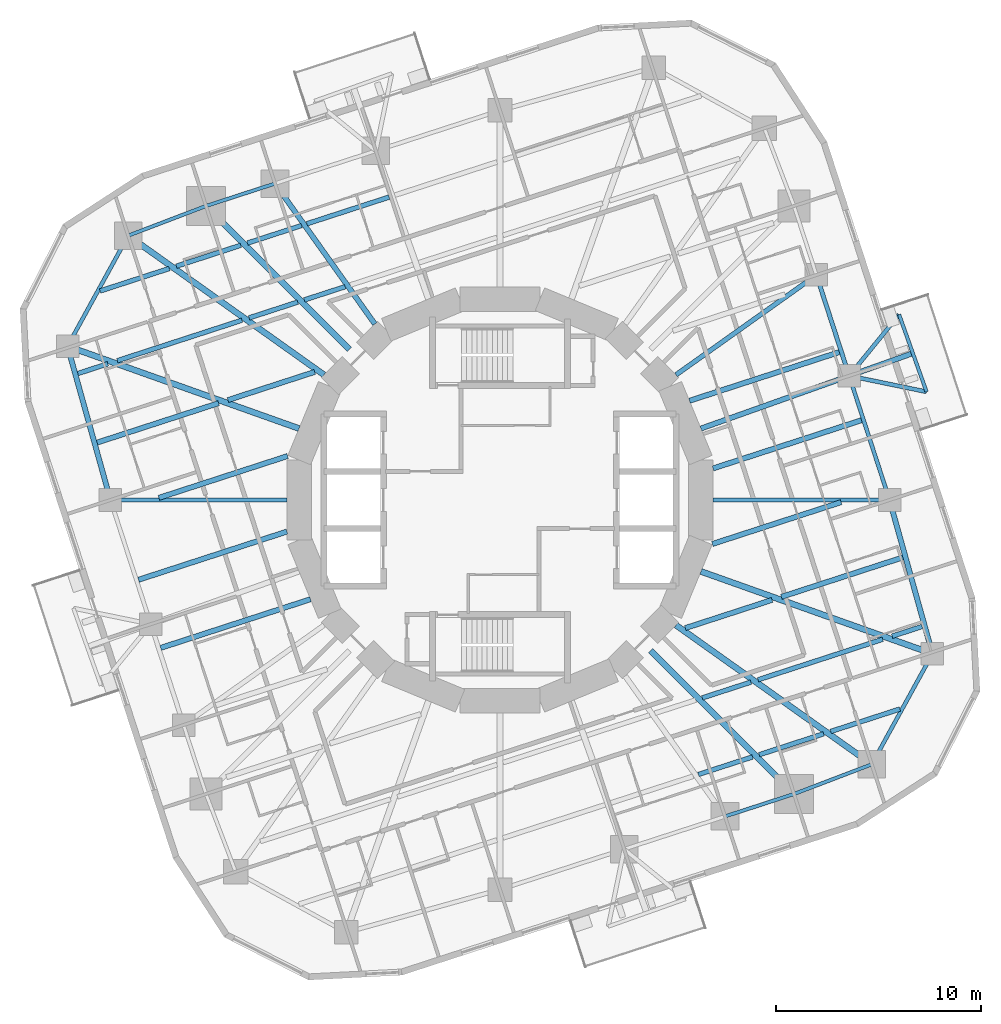
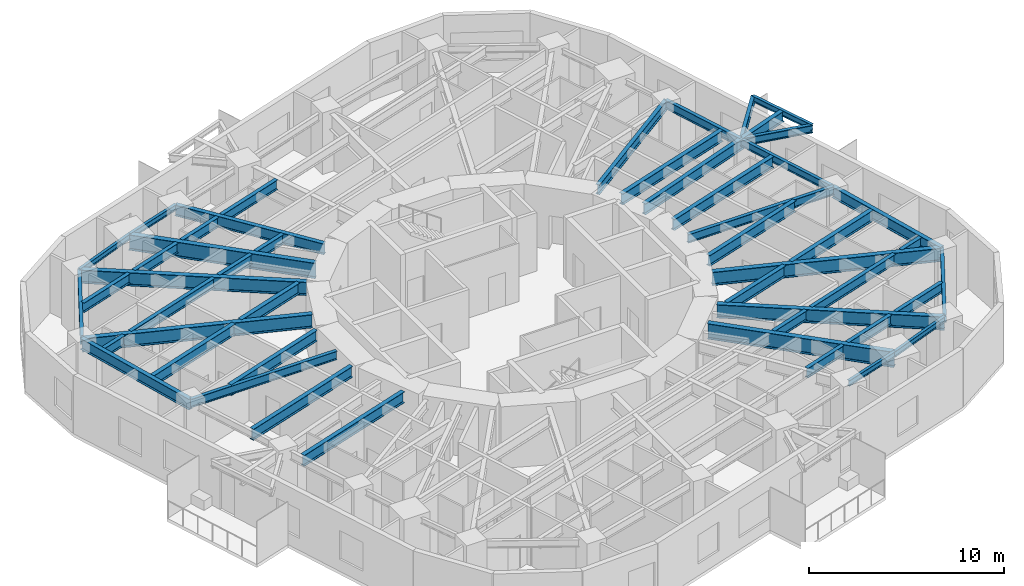
# One storey, part 2 of 12: 48 beams.
"""IFC4 building model written with IfcOpenShell, lengths in metres."""

from ifc_helpers import new_model, si_unit, direction, frame, origin, origin_2d, place, context, subcontext, project, spatial, i_section, extrude, material, material_profile, profile_set, type_object, element, save


model = new_model("IFC4")

# Units and contexts
model_context = context("Model", 3, precision=1e-05, world=origin(), true_north=direction((0.0, 1.0)))
body_context = subcontext(model_context, "Body", "Model", "MODEL_VIEW")
ifc_project = project(units=[si_unit("LENGTHUNIT", "METRE"), si_unit("AREAUNIT", "SQUARE_METRE"), si_unit("VOLUMEUNIT", "CUBIC_METRE"), si_unit("PLANEANGLEUNIT", "RADIAN"), si_unit("MASSUNIT", "GRAM", prefix="KILO")], contexts=[model_context])

# Site, building, storey
site_placement = place(None, origin())
site = spatial("IfcSite", under=ifc_project, at=site_placement, CompositionType="ELEMENT")
building_placement = place(site_placement, origin())
building = spatial("IfcBuilding", under=site, at=building_placement, Name="Nakasero Lantern House", CompositionType="ELEMENT")
storey_placement = place(building_placement, frame((0.0, 0.0, 145.64990234375)))
storey = spatial("IfcBuildingStorey", under=building, at=storey_placement, Name="L35", CompositionType="ELEMENT", Elevation=145.64990234375)

# Beams
ifc_material_1 = material(Name="Steel S355", Category="steel")
ifc_material_profile_1 = material_profile(ifc_material_1, i_section(OverallWidth=0.199462890625, OverallDepth=0.491943359375, WebThickness=0.01806640625, FlangeThickness=0.031982421875, FilletRadius=0.01025390625, at=origin_2d()), Name="UB 457x191x161")
ifc_profile_set_1 = profile_set([ifc_material_profile_1], Name="Steel S355")
beam_type_1 = type_object("IfcBeamType", Name="Balcony splay beam UB 457x191x161", PredefinedType="BEAM", material=ifc_profile_set_1)
for number, where, z_axis, x_axis, name in (
    (1, (17.060546875, 6.06591796875, 3.404052734375), (0.632127727159, 0.774864205236, 0.0), (-0.774864205236, 0.632127727159, 0.0), "Balcony splay beam L36 B4-C04A"),
    (2, (17.060546875, 6.06591796875, 3.404052734375), (0.979420272605, -0.201831438605, 0.0), (0.201831438605, 0.979420272605, 0.0), "Balcony splay beam L36 B4-C04B"),
):
    element("IfcBeam", number, at=place(storey_placement, frame(where, z_axis=z_axis, x_axis=x_axis)), inside=storey, type_object=beam_type_1, Name=name, PredefinedType="BEAM", context=body_context, shape_type="SweptSolid", body=[
        extrude(i_section(OverallWidth=0.199462890625, OverallDepth=0.491943359375, WebThickness=0.01806640625, FlangeThickness=0.031982421875, FilletRadius=0.01025390625, at=origin_2d()), origin(), (0.0, 0.0, 1.0), 3.858642578125),
    ])
ifc_material_2 = material(Name="Steel S355", Category="steel")
ifc_material_profile_2 = material_profile(ifc_material_2, i_section(OverallWidth=0.17138671875, OverallDepth=0.35498046875, WebThickness=0.00732421875, FlangeThickness=0.011474609375, FilletRadius=0.01025390625, at=origin_2d()), Name="UB 356x171x51")
ifc_profile_set_2 = profile_set([ifc_material_profile_2], Name="Steel S355")
beam_type_2 = type_object("IfcBeamType", Name="Balcony tie beam UB 356x171x51", PredefinedType="BEAM", material=ifc_profile_set_2)
beam_1_placement = place(storey_placement, frame((19.499755859375, 9.055908203125, 3.47265625), z_axis=(0.335025321236, -0.942209124415, 0.0), x_axis=(0.942209124415, 0.335025321236, 0.0)))
element("IfcBeam", 3, at=beam_1_placement, inside=storey, type_object=beam_type_2, Name="Balcony tie beam L36 B4-C04", PredefinedType="BEAM", context=body_context, shape_type="SweptSolid", body=[
    extrude(i_section(OverallWidth=0.17138671875, OverallDepth=0.35498046875, WebThickness=0.00732421875, FlangeThickness=0.011474609375, FilletRadius=0.01025390625, at=origin_2d()), origin(), (0.0, 0.0, 1.0), 4.0),
])
ifc_material_3 = material(Name="Steel S355", Category="steel")
ifc_material_profile_3 = material_profile(ifc_material_3, i_section(OverallWidth=0.22900390625, OverallDepth=0.6123046875, WebThickness=0.011962890625, FlangeThickness=0.01953125, FilletRadius=0.0126953125, at=origin_2d()), Name="UB 610x229x125")
ifc_profile_set_3 = profile_set([ifc_material_profile_3], Name="Steel S355")
beam_type_3 = type_object("IfcBeamType", Name="Infill beam UB 610x229x125", PredefinedType="JOIST", material=ifc_profile_set_3)
beam_2_placement = place(storey_placement, frame((9.692626953125, -13.4111328125, 3.343994140625), z_axis=(0.951059855583, 0.309006716915, 0.0), x_axis=(-0.309006716915, 0.951059855583, 0.0)))
element("IfcBeam", 4, at=beam_2_placement, inside=storey, type_object=beam_type_3, Name="Infill beam L36 03.5", PredefinedType="JOIST", context=body_context, shape_type="SweptSolid", body=[
    extrude(i_section(OverallWidth=0.22900390625, OverallDepth=0.6123046875, WebThickness=0.011962890625, FlangeThickness=0.01953125, FilletRadius=0.0126953125, at=origin_2d()), origin(), (0.0, 0.0, 1.0), 2.78271484375),
])
beam_3_placement = place(storey_placement, frame((12.659423828125, -12.447265625, 3.343994140625), z_axis=(0.951057343237, 0.309014449297, 0.0), x_axis=(-0.309014449297, 0.951057343237, 0.0)))
element("IfcBeam", 5, at=beam_3_placement, inside=storey, type_object=beam_type_3, Name="Infill beam L36 03.6", PredefinedType="JOIST", context=body_context, shape_type="SweptSolid", body=[
    extrude(i_section(OverallWidth=0.22900390625, OverallDepth=0.6123046875, WebThickness=0.011962890625, FlangeThickness=0.01953125, FilletRadius=0.0126953125, at=origin_2d()), origin(), (0.0, 0.0, 1.0), 3.314208984375),
])
beam_4_placement = place(storey_placement, frame((16.15771484375, -11.310546875, 3.343994140625), z_axis=(0.951052231022, 0.309030182777, 0.0), x_axis=(-0.309030182777, 0.951052231022, 0.0)))
element("IfcBeam", 6, at=beam_4_placement, inside=storey, type_object=beam_type_3, Name="Infill beam L36 03.7", PredefinedType="JOIST", context=body_context, shape_type="SweptSolid", body=[
    extrude(i_section(OverallWidth=0.22900390625, OverallDepth=0.6123046875, WebThickness=0.011962890625, FlangeThickness=0.01953125, FilletRadius=0.0126953125, at=origin_2d()), origin(), (0.0, 0.0, 1.0), 3.555908203125),
])
beam_5_placement = place(storey_placement, frame((9.8818359375, -9.669677734375, 3.343994140625), z_axis=(0.95105846813, 0.30901098718, 0.0), x_axis=(-0.30901098718, 0.95105846813, 0.0)))
element("IfcBeam", 7, at=beam_5_placement, inside=storey, type_object=beam_type_3, Name="Infill beam L36 04.6", PredefinedType="JOIST", context=body_context, shape_type="SweptSolid", body=[
    extrude(i_section(OverallWidth=0.22900390625, OverallDepth=0.6123046875, WebThickness=0.011962890625, FlangeThickness=0.01953125, FilletRadius=0.0126953125, at=origin_2d()), origin(), (0.0, 0.0, 1.0), 2.499755859375),
])
beam_6_placement = place(storey_placement, frame((12.605712890625, -8.78466796875, 3.343994140625), z_axis=(0.951048625867, 0.309041277561, 0.0), x_axis=(-0.309041277561, 0.951048625867, 0.0)))
element("IfcBeam", 8, at=beam_6_placement, inside=storey, type_object=beam_type_3, Name="Infill beam L36 04.7", PredefinedType="JOIST", context=body_context, shape_type="SweptSolid", body=[
    extrude(i_section(OverallWidth=0.22900390625, OverallDepth=0.6123046875, WebThickness=0.011962890625, FlangeThickness=0.01953125, FilletRadius=0.0126953125, at=origin_2d()), origin(), (0.0, 0.0, 1.0), 6.408447265625),
])
beam_7_placement = place(storey_placement, frame((19.156494140625, -6.656005859375, 3.343994140625), z_axis=(0.951091008976, 0.308910816652, 0.0), x_axis=(-0.308910816652, 0.951091008976, 0.0)))
element("IfcBeam", 9, at=beam_7_placement, inside=storey, type_object=beam_type_3, Name="Infill beam L36 04.8", PredefinedType="JOIST", context=body_context, shape_type="SweptSolid", body=[
    extrude(i_section(OverallWidth=0.22900390625, OverallDepth=0.6123046875, WebThickness=0.011962890625, FlangeThickness=0.01953125, FilletRadius=0.0126953125, at=origin_2d()), origin(), (0.0, 0.0, 1.0), 1.54345703125),
])
beam_8_placement = place(storey_placement, frame((-20.62548828125, 6.1787109375, 3.343994140625), z_axis=(0.95105845859, 0.309011016544, 0.0), x_axis=(-0.309011016544, 0.95105845859, 0.0)))
element("IfcBeam", 10, at=beam_8_placement, inside=storey, type_object=beam_type_3, Name="Infill beam L36 11.1", PredefinedType="JOIST", context=body_context, shape_type="SweptSolid", body=[
    extrude(i_section(OverallWidth=0.22900390625, OverallDepth=0.6123046875, WebThickness=0.011962890625, FlangeThickness=0.01953125, FilletRadius=0.0126953125, at=origin_2d()), origin(), (0.0, 0.0, 1.0), 1.544677734375),
])
beam_9_placement = place(storey_placement, frame((-18.700439453125, 6.80419921875, 3.343994140625), z_axis=(0.951048625867, 0.309041277561, 0.0), x_axis=(-0.309041277561, 0.951048625867, 0.0)))
element("IfcBeam", 11, at=beam_9_placement, inside=storey, type_object=beam_type_3, Name="Infill beam L36 11.2", PredefinedType="JOIST", context=body_context, shape_type="SweptSolid", body=[
    extrude(i_section(OverallWidth=0.22900390625, OverallDepth=0.6123046875, WebThickness=0.011962890625, FlangeThickness=0.01953125, FilletRadius=0.0126953125, at=origin_2d()), origin(), (0.0, 0.0, 1.0), 6.408447265625),
])
beam_10_placement = place(storey_placement, frame((-12.25927734375, 8.897216796875, 3.343994140625), z_axis=(0.95105846813, 0.30901098718, 0.0), x_axis=(-0.30901098718, 0.95105846813, 0.0)))
element("IfcBeam", 12, at=beam_10_placement, inside=storey, type_object=beam_type_3, Name="Infill beam L36 11.3", PredefinedType="JOIST", context=body_context, shape_type="SweptSolid", body=[
    extrude(i_section(OverallWidth=0.22900390625, OverallDepth=0.6123046875, WebThickness=0.011962890625, FlangeThickness=0.01953125, FilletRadius=0.0126953125, at=origin_2d()), origin(), (0.0, 0.0, 1.0), 2.499755859375),
])
beam_11_placement = place(storey_placement, frame((-9.5615234375, 9.773681640625, 3.343994140625), z_axis=(0.951053739923, 0.30902553904, 0.0), x_axis=(-0.30902553904, 0.951053739923, 0.0)))
element("IfcBeam", 13, at=beam_11_placement, inside=storey, type_object=beam_type_3, Name="Infill beam L36 11.4", PredefinedType="JOIST", context=body_context, shape_type="SweptSolid", body=[
    extrude(i_section(OverallWidth=0.22900390625, OverallDepth=0.6123046875, WebThickness=0.011962890625, FlangeThickness=0.01953125, FilletRadius=0.0126953125, at=origin_2d()), origin(), (0.0, 0.0, 1.0), 2.09765625),
])
beam_12_placement = place(storey_placement, frame((-19.53955078125, 10.211669921875, 3.343994140625), z_axis=(0.951052231022, 0.309030182777, 0.0), x_axis=(-0.309030182777, 0.951052231022, 0.0)))
element("IfcBeam", 14, at=beam_12_placement, inside=storey, type_object=beam_type_3, Name="Infill beam L36 12.1", PredefinedType="JOIST", context=body_context, shape_type="SweptSolid", body=[
    extrude(i_section(OverallWidth=0.22900390625, OverallDepth=0.6123046875, WebThickness=0.011962890625, FlangeThickness=0.01953125, FilletRadius=0.0126953125, at=origin_2d()), origin(), (0.0, 0.0, 1.0), 3.555908203125),
])
beam_13_placement = place(storey_placement, frame((-15.8115234375, 11.423095703125, 3.343994140625), z_axis=(0.951057343237, 0.309014449297, 0.0), x_axis=(-0.309014449297, 0.951057343237, 0.0)))
element("IfcBeam", 15, at=beam_13_placement, inside=storey, type_object=beam_type_3, Name="Infill beam L36 12.2", PredefinedType="JOIST", context=body_context, shape_type="SweptSolid", body=[
    extrude(i_section(OverallWidth=0.22900390625, OverallDepth=0.6123046875, WebThickness=0.011962890625, FlangeThickness=0.01953125, FilletRadius=0.0126953125, at=origin_2d()), origin(), (0.0, 0.0, 1.0), 3.314208984375),
])
beam_14_placement = place(storey_placement, frame((-12.339111328125, 12.55126953125, 3.343994140625), z_axis=(0.951059855583, 0.309006716915, 0.0), x_axis=(-0.309006716915, 0.951059855583, 0.0)))
element("IfcBeam", 16, at=beam_14_placement, inside=storey, type_object=beam_type_3, Name="Infill beam L36 12.3", PredefinedType="JOIST", context=body_context, shape_type="SweptSolid", body=[
    extrude(i_section(OverallWidth=0.22900390625, OverallDepth=0.6123046875, WebThickness=0.011962890625, FlangeThickness=0.01953125, FilletRadius=0.0126953125, at=origin_2d()), origin(), (0.0, 0.0, 1.0), 2.78271484375),
])
beam_15_placement = place(storey_placement, frame((-9.439697265625, 13.493408203125, 3.343994140625), z_axis=(0.951057398427, 0.30901427944, 0.0), x_axis=(-0.30901427944, 0.951057398427, 0.0)))
element("IfcBeam", 17, at=beam_15_placement, inside=storey, type_object=beam_type_3, Name="Infill beam L36 12.4", PredefinedType="JOIST", context=body_context, shape_type="SweptSolid", body=[
    extrude(i_section(OverallWidth=0.22900390625, OverallDepth=0.6123046875, WebThickness=0.011962890625, FlangeThickness=0.01953125, FilletRadius=0.0126953125, at=origin_2d()), origin(), (0.0, 0.0, 1.0), 4.229248046875),
])
ifc_material_4 = material(Name="Steel S355", Category="steel")
ifc_material_profile_4 = material_profile(ifc_material_4, i_section(OverallWidth=0.253662109375, OverallDepth=0.68359375, WebThickness=0.012451171875, FlangeThickness=0.01904296875, FilletRadius=0.01513671875, at=origin_2d()), Name="UB 686x254x140")
ifc_profile_set_4 = profile_set([ifc_material_profile_4], Name="Steel S355")
beam_type_4 = type_object("IfcBeamType", Name="Infill beam UB 686x254x140", PredefinedType="JOIST", material=ifc_profile_set_4)
beam_16_placement = place(storey_placement, frame((9.053466796875, -6.258544921875, 3.308349609375), z_axis=(0.951065863794, 0.308988224251, 0.0), x_axis=(-0.308988224251, 0.951065863794, 0.0)))
element("IfcBeam", 18, at=beam_16_placement, inside=storey, type_object=beam_type_4, Name="Infill beam L36 05.3", PredefinedType="JOIST", context=body_context, shape_type="SweptSolid", body=[
    extrude(i_section(OverallWidth=0.253662109375, OverallDepth=0.68359375, WebThickness=0.012451171875, FlangeThickness=0.01904296875, FilletRadius=0.01513671875, at=origin_2d()), origin(), (0.0, 0.0, 1.0), 4.45703125),
])
beam_17_placement = place(storey_placement, frame((13.74853515625, -4.733154296875, 3.308349609375), z_axis=(0.951054771624, 0.309022363871, 0.0), x_axis=(-0.309022363871, 0.951054771624, 0.0)))
element("IfcBeam", 19, at=beam_17_placement, inside=storey, type_object=beam_type_4, Name="Infill beam L36 05.4", PredefinedType="JOIST", context=body_context, shape_type="SweptSolid", body=[
    extrude(i_section(OverallWidth=0.253662109375, OverallDepth=0.68359375, WebThickness=0.012451171875, FlangeThickness=0.01904296875, FilletRadius=0.01513671875, at=origin_2d()), origin(), (0.0, 0.0, 1.0), 6.239013671875),
])
for number, where, z_axis, x_axis, name in (
    (20, (10.375244140625, -2.149169921875, 3.308349609375), (0.951051425994, 0.309032660271, 0.0), (-0.309032660271, 0.951051425994, 0.0), "Infill beam L36 06.2"),
    (21, (-16.666259765625, 0.10498046875, 3.308349609375), (0.951051425994, 0.309032660271, 0.0), (-0.309032660271, 0.951051425994, 0.0), "Infill beam L36 09.1"),
):
    element("IfcBeam", number, at=place(storey_placement, frame(where, z_axis=z_axis, x_axis=x_axis)), inside=storey, type_object=beam_type_4, Name=name, PredefinedType="JOIST", context=body_context, shape_type="SweptSolid", body=[
        extrude(i_section(OverallWidth=0.253662109375, OverallDepth=0.68359375, WebThickness=0.012451171875, FlangeThickness=0.01904296875, FilletRadius=0.01513671875, at=origin_2d()), origin(), (0.0, 0.0, 1.0), 6.61474609375),
    ])
beam_18_placement = place(storey_placement, frame((-19.68310546875, 2.804931640625, 3.308349609375), z_axis=(0.951058217804, 0.30901175762, 0.0), x_axis=(-0.30901175762, 0.951058217804, 0.0)))
element("IfcBeam", 22, at=beam_18_placement, inside=storey, type_object=beam_type_4, Name="Infill beam L36 10.1", PredefinedType="JOIST", context=body_context, shape_type="SweptSolid", body=[
    extrude(i_section(OverallWidth=0.253662109375, OverallDepth=0.68359375, WebThickness=0.012451171875, FlangeThickness=0.01904296875, FilletRadius=0.01513671875, at=origin_2d()), origin(), (0.0, 0.0, 1.0), 6.239990234375),
])
beam_19_placement = place(storey_placement, frame((-13.29248046875, 4.88134765625, 3.308349609375), z_axis=(0.951065863794, 0.308988224251, 0.0), x_axis=(-0.308988224251, 0.951065863794, 0.0)))
element("IfcBeam", 23, at=beam_19_placement, inside=storey, type_object=beam_type_4, Name="Infill beam L36 10.2", PredefinedType="JOIST", context=body_context, shape_type="SweptSolid", body=[
    extrude(i_section(OverallWidth=0.253662109375, OverallDepth=0.68359375, WebThickness=0.012451171875, FlangeThickness=0.01904296875, FilletRadius=0.01513671875, at=origin_2d()), origin(), (0.0, 0.0, 1.0), 4.45703125),
])
ifc_material_5 = material(Name="Steel S355", Category="steel")
ifc_material_profile_5 = material_profile(ifc_material_5, i_section(OverallWidth=0.255859375, OverallDepth=0.69287109375, WebThickness=0.014404296875, FlangeThickness=0.023681640625, FilletRadius=0.01513671875, at=origin_2d()), Name="UB 686x254x170")
ifc_profile_set_5 = profile_set([ifc_material_profile_5], Name="Steel S355")
beam_type_5 = type_object("IfcBeamType", Name="Infill beam UB 686x254x170", PredefinedType="JOIST", material=ifc_profile_set_5)
beam_20_placement = place(storey_placement, frame((-16.573486328125, -7.22509765625, 3.3037109375), z_axis=(0.951055290106, 0.309020768171, 0.0), x_axis=(-0.309020768171, 0.951055290106, 0.0)))
element("IfcBeam", 24, at=beam_20_placement, inside=storey, type_object=beam_type_5, Name="Infill beam L36 07.1", PredefinedType="JOIST", context=body_context, shape_type="SweptSolid", body=[
    extrude(i_section(OverallWidth=0.255859375, OverallDepth=0.69287109375, WebThickness=0.014404296875, FlangeThickness=0.023681640625, FilletRadius=0.01513671875, at=origin_2d()), origin(), (0.0, 0.0, 1.0), 7.692626953125),
])
for number, where, z_axis, x_axis, name in (
    (25, (10.407958984375, 1.541748046875, 3.3037109375), (0.95106204683, 0.308999972622, 0.0), (-0.308999972622, 0.95106204683, 0.0), "Infill beam L36 07.2"),
    (26, (-17.66455078125, -3.8994140625, 3.3037109375), (0.95106204683, 0.308999972622, 0.0), (-0.308999972622, 0.95106204683, 0.0), "Infill beam L36 08.1"),
):
    element("IfcBeam", number, at=place(storey_placement, frame(where, z_axis=z_axis, x_axis=x_axis)), inside=storey, type_object=beam_type_5, Name=name, PredefinedType="JOIST", context=body_context, shape_type="SweptSolid", body=[
        extrude(i_section(OverallWidth=0.255859375, OverallDepth=0.69287109375, WebThickness=0.014404296875, FlangeThickness=0.023681640625, FilletRadius=0.01513671875, at=origin_2d()), origin(), (0.0, 0.0, 1.0), 7.6298828125),
    ])
beam_21_placement = place(storey_placement, frame((9.25732421875, 4.847900390625, 3.3037109375), z_axis=(0.951055290106, 0.309020768171, 0.0), x_axis=(-0.309020768171, 0.951055290106, 0.0)))
element("IfcBeam", 27, at=beam_21_placement, inside=storey, type_object=beam_type_5, Name="Infill beam L36 08.2", PredefinedType="JOIST", context=body_context, shape_type="SweptSolid", body=[
    extrude(i_section(OverallWidth=0.255859375, OverallDepth=0.69287109375, WebThickness=0.014404296875, FlangeThickness=0.023681640625, FilletRadius=0.01513671875, at=origin_2d()), origin(), (0.0, 0.0, 1.0), 7.692626953125),
])
ifc_material_6 = material(Name="Steel S355", Category="steel")
ifc_material_profile_6 = material_profile(ifc_material_6, i_section(OverallWidth=0.300048828125, OverallDepth=0.97021484375, WebThickness=0.01611328125, FlangeThickness=0.02099609375, FilletRadius=0.030029296875, at=origin_2d()), Name="UB 1016x305x222")
ifc_profile_set_6 = profile_set([ifc_material_profile_6], Name="Steel S355")
beam_type_6 = type_object("IfcBeamType", Name="Primary beam UB 1016x305x222, span 9 to 12 m", PredefinedType="BEAM", material=ifc_profile_set_6)
for number, where, z_axis, x_axis, name in (
    (28, (-14.3642578125, 14.3642578125, 3.1650390625), (0.707106781187, -0.707106781187, 0.0), (0.707106781187, 0.707106781187, 0.0), "Primary beam L36 B4-C12"),
    (29, (14.3642578125, -14.3642578125, 3.1650390625), (-0.707106781187, 0.707106781187, 0.0), (-0.707106781187, -0.707106781187, 0.0), "Primary beam L36 B4-C24"),
):
    element("IfcBeam", number, at=place(storey_placement, frame(where, z_axis=z_axis, x_axis=x_axis)), inside=storey, type_object=beam_type_6, Name=name, PredefinedType="BEAM", context=body_context, shape_type="SweptSolid", body=[
        extrude(i_section(OverallWidth=0.300048828125, OverallDepth=0.97021484375, WebThickness=0.01611328125, FlangeThickness=0.02099609375, FilletRadius=0.030029296875, at=origin_2d()), origin(), (0.0, 0.0, 1.0), 9.906494140625),
    ])
ifc_material_7 = material(Name="Steel S355", Category="steel")
ifc_material_profile_7 = material_profile(ifc_material_7, i_section(OverallWidth=0.2099609375, OverallDepth=0.53662109375, WebThickness=0.0107421875, FlangeThickness=0.017333984375, FilletRadius=0.0126953125, at=origin_2d()), Name="UB 533x210x101")
ifc_profile_set_7 = profile_set([ifc_material_profile_7], Name="Steel S355")
beam_type_7 = type_object("IfcBeamType", Name="Primary beam UB 533x210x101, span 6 to 9 m", PredefinedType="BEAM", material=ifc_profile_set_7)
for number, where, z_axis, x_axis, name in (
    (30, (19.031494140625, 0.0, 3.3818359375), (-1.0, 0.0, 0.0), (0.0, -1.0, 0.0), "Primary beam L36 B4-C03"),
    (31, (-19.031494140625, 0.0, 3.3818359375), (1.0, 0.0, 0.0), (0.0, 1.0, 0.0), "Primary beam L36 B4-C15"),
):
    element("IfcBeam", number, at=place(storey_placement, frame(where, z_axis=z_axis, x_axis=x_axis)), inside=storey, type_object=beam_type_7, Name=name, PredefinedType="BEAM", context=body_context, shape_type="SweptSolid", body=[
        extrude(i_section(OverallWidth=0.2099609375, OverallDepth=0.53662109375, WebThickness=0.0107421875, FlangeThickness=0.017333984375, FilletRadius=0.0126953125, at=origin_2d()), origin(), (0.0, 0.0, 1.0), 8.62353515625),
    ])
ifc_material_8 = material(Name="Steel S355", Category="steel")
ifc_material_profile_8 = material_profile(ifc_material_8, i_section(OverallWidth=0.22900390625, OverallDepth=0.6123046875, WebThickness=0.011962890625, FlangeThickness=0.01953125, FilletRadius=0.0126953125, at=origin_2d()), Name="UB 610x229x125")
ifc_profile_set_8 = profile_set([ifc_material_profile_8], Name="Steel S355")
beam_type_8 = type_object("IfcBeamType", Name="Primary beam UB 610x229x125, span 6 to 9 m", PredefinedType="BEAM", material=ifc_profile_set_8)
beam_22_placement = place(storey_placement, frame((15.45947265625, 10.993408203125, 3.343994140625), z_axis=(-0.81495106139, -0.579529781409, 0.0), x_axis=(0.579529781409, -0.81495106139, 0.0)))
element("IfcBeam", 32, at=beam_22_placement, inside=storey, type_object=beam_type_8, Name="Primary beam L36 B4-C05", PredefinedType="BEAM", context=body_context, shape_type="SweptSolid", body=[
    extrude(i_section(OverallWidth=0.22900390625, OverallDepth=0.6123046875, WebThickness=0.011962890625, FlangeThickness=0.01953125, FilletRadius=0.0126953125, at=origin_2d()), origin(), (0.0, 0.0, 1.0), 8.41455078125),
])
ifc_material_9 = material(Name="Steel S355", Category="steel")
ifc_material_profile_9 = material_profile(ifc_material_9, i_section(OverallWidth=0.253662109375, OverallDepth=0.68359375, WebThickness=0.012451171875, FlangeThickness=0.01904296875, FilletRadius=0.01513671875, at=origin_2d()), Name="UB 686x254x140")
ifc_profile_set_9 = profile_set([ifc_material_profile_9], Name="Steel S355")
beam_type_9 = type_object("IfcBeamType", Name="Primary beam UB 686x254x140, span 6 to 9 m", PredefinedType="BEAM", material=ifc_profile_set_9)
beam_23_placement = place(storey_placement, frame((20.169921875, 7.17138671875, 3.308349609375), z_axis=(-0.942215625619, -0.335007036998, 0.0), x_axis=(0.335007036998, -0.942215625619, 0.0)))
element("IfcBeam", 33, at=beam_23_placement, inside=storey, type_object=beam_type_9, Name="Primary beam L36 B4-C04", PredefinedType="BEAM", context=body_context, shape_type="SweptSolid", body=[
    extrude(i_section(OverallWidth=0.253662109375, OverallDepth=0.68359375, WebThickness=0.012451171875, FlangeThickness=0.01904296875, FilletRadius=0.01513671875, at=origin_2d()), origin(), (0.0, 0.0, 1.0), 10.9853515625),
])
beam_24_placement = place(storey_placement, frame((-10.993408203125, 15.45947265625, 3.308349609375), z_axis=(0.579529781409, -0.81495106139, 0.0), x_axis=(0.81495106139, 0.579529781409, 0.0)))
element("IfcBeam", 34, at=beam_24_placement, inside=storey, type_object=beam_type_9, Name="Primary beam L36 B4-C11", PredefinedType="BEAM", context=body_context, shape_type="SweptSolid", body=[
    extrude(i_section(OverallWidth=0.253662109375, OverallDepth=0.68359375, WebThickness=0.012451171875, FlangeThickness=0.01904296875, FilletRadius=0.01513671875, at=origin_2d()), origin(), (0.0, 0.0, 1.0), 8.41455078125),
])
ifc_material_10 = material(Name="Steel S355", Category="steel")
ifc_material_profile_10 = material_profile(ifc_material_10, i_section(OverallWidth=0.29248046875, OverallDepth=0.8408203125, WebThickness=0.0146484375, FlangeThickness=0.02685546875, FilletRadius=0.017822265625, at=origin_2d()), Name="UB 838x292x194")
ifc_profile_set_10 = profile_set([ifc_material_profile_10], Name="Steel S355")
beam_type_10 = type_object("IfcBeamType", Name="Primary beam UB 838x292x194, span 12 to 15 m", PredefinedType="BEAM", material=ifc_profile_set_10)
for number, where, z_axis, x_axis, name in (
    (35, (21.129638671875, -7.5126953125, 3.229736328125), (-0.942213548974, 0.335012877559, 0.0), (-0.335012877559, -0.942213548974, 0.0), "Primary beam L36 B4-C02"),
    (36, (-21.129638671875, 7.5126953125, 3.229736328125), (0.942213548974, -0.335012877559, 0.0), (0.335012877559, 0.942213548974, 0.0), "Primary beam L36 B4-C14"),
):
    element("IfcBeam", number, at=place(storey_placement, frame(where, z_axis=z_axis, x_axis=x_axis)), inside=storey, type_object=beam_type_10, Name=name, PredefinedType="BEAM", context=body_context, shape_type="SweptSolid", body=[
        extrude(i_section(OverallWidth=0.29248046875, OverallDepth=0.8408203125, WebThickness=0.0146484375, FlangeThickness=0.02685546875, FilletRadius=0.017822265625, at=origin_2d()), origin(), (0.0, 0.0, 1.0), 12.00390625),
    ])
ifc_material_11 = material(Name="Steel S355", Category="steel")
ifc_material_profile_11 = material_profile(ifc_material_11, i_section(OverallWidth=0.29248046875, OverallDepth=0.8408203125, WebThickness=0.0146484375, FlangeThickness=0.02685546875, FilletRadius=0.017822265625, at=origin_2d()), Name="UB 838x292x194")
ifc_profile_set_11 = profile_set([ifc_material_profile_11], Name="Steel S355")
beam_type_11 = type_object("IfcBeamType", Name="Primary beam UB 838x292x194, span 9 to 12 m", PredefinedType="BEAM", material=ifc_profile_set_11)
for number, where, z_axis, x_axis, name in (
    (37, (18.1630859375, -12.916015625, 3.229736328125), (-0.814950738075, 0.579530236062, 0.0), (-0.579530236062, -0.814950738075, 0.0), "Primary beam L36 B4-C01"),
    (38, (-18.1630859375, 12.916015625, 3.229736328125), (0.814950738075, -0.579530236062, 0.0), (0.579530236062, 0.814950738075, 0.0), "Primary beam L36 B4-C13"),
):
    element("IfcBeam", number, at=place(storey_placement, frame(where, z_axis=z_axis, x_axis=x_axis)), inside=storey, type_object=beam_type_11, Name=name, PredefinedType="BEAM", context=body_context, shape_type="SweptSolid", body=[
        extrude(i_section(OverallWidth=0.29248046875, OverallDepth=0.8408203125, WebThickness=0.0146484375, FlangeThickness=0.02685546875, FilletRadius=0.017822265625, at=origin_2d()), origin(), (0.0, 0.0, 1.0), 11.73193359375),
    ])
ifc_material_12 = material(Name="Steel S355", Category="steel")
ifc_material_profile_12 = material_profile(ifc_material_12, i_section(OverallWidth=0.17138671875, OverallDepth=0.35498046875, WebThickness=0.00732421875, FlangeThickness=0.011474609375, FilletRadius=0.01025390625, at=origin_2d()), Name="UB 356x171x51")
ifc_profile_set_12 = profile_set([ifc_material_profile_12], Name="Steel S355")
beam_type_12 = type_object("IfcBeamType", Name="Ring beam UB 356x171x51", PredefinedType="BEAM", material=ifc_profile_set_12)
beam_25_placement = place(storey_placement, frame((-10.993408203125, 15.45947265625, 3.47265625), z_axis=(-0.951059881727, -0.309006636447, 0.0), x_axis=(0.309006636447, -0.951059881727, 0.0)))
element("IfcBeam", 39, at=beam_25_placement, inside=storey, type_object=beam_type_12, Name="Ring beam L36 B4-C11", PredefinedType="BEAM", context=body_context, shape_type="SweptSolid", body=[
    extrude(i_section(OverallWidth=0.17138671875, OverallDepth=0.35498046875, WebThickness=0.00732421875, FlangeThickness=0.011474609375, FilletRadius=0.01025390625, at=origin_2d()), origin(), (0.0, 0.0, 1.0), 3.544189453125),
])
beam_26_placement = place(storey_placement, frame((-14.3642578125, 14.3642578125, 3.47265625), z_axis=(-0.934400186194, -0.35622505813, 0.0), x_axis=(0.35622505813, -0.934400186194, 0.0)))
element("IfcBeam", 40, at=beam_26_placement, inside=storey, type_object=beam_type_12, Name="Ring beam L36 B4-C12", PredefinedType="BEAM", context=body_context, shape_type="SweptSolid", body=[
    extrude(i_section(OverallWidth=0.17138671875, OverallDepth=0.35498046875, WebThickness=0.00732421875, FlangeThickness=0.011474609375, FilletRadius=0.01025390625, at=origin_2d()), origin(), (0.0, 0.0, 1.0), 4.0654296875),
])
beam_27_placement = place(storey_placement, frame((10.993408203125, -15.45947265625, 3.47265625), z_axis=(0.951059881727, 0.309006636447, 0.0), x_axis=(-0.309006636447, 0.951059881727, 0.0)))
element("IfcBeam", 41, at=beam_27_placement, inside=storey, type_object=beam_type_12, Name="Ring beam L36 B4-C23", PredefinedType="BEAM", context=body_context, shape_type="SweptSolid", body=[
    extrude(i_section(OverallWidth=0.17138671875, OverallDepth=0.35498046875, WebThickness=0.00732421875, FlangeThickness=0.011474609375, FilletRadius=0.01025390625, at=origin_2d()), origin(), (0.0, 0.0, 1.0), 3.544189453125),
])
beam_28_placement = place(storey_placement, frame((14.3642578125, -14.3642578125, 3.47265625), z_axis=(0.934400186194, 0.35622505813, 0.0), x_axis=(-0.35622505813, 0.934400186194, 0.0)))
element("IfcBeam", 42, at=beam_28_placement, inside=storey, type_object=beam_type_12, Name="Ring beam L36 B4-C24", PredefinedType="BEAM", context=body_context, shape_type="SweptSolid", body=[
    extrude(i_section(OverallWidth=0.17138671875, OverallDepth=0.35498046875, WebThickness=0.00732421875, FlangeThickness=0.011474609375, FilletRadius=0.01025390625, at=origin_2d()), origin(), (0.0, 0.0, 1.0), 4.0654296875),
])
ifc_material_13 = material(Name="Steel S355", Category="steel")
ifc_material_profile_13 = material_profile(ifc_material_13, i_section(OverallWidth=0.18994140625, OverallDepth=0.453369140625, WebThickness=0.008544921875, FlangeThickness=0.0126953125, FilletRadius=0.01025390625, at=origin_2d()), Name="UB 457x191x67")
ifc_profile_set_13 = profile_set([ifc_material_profile_13], Name="Steel S355")
beam_type_13 = type_object("IfcBeamType", Name="Ring beam UB 457x191x67", PredefinedType="BEAM", material=ifc_profile_set_13)
beam_29_placement = place(storey_placement, frame((18.1630859375, -12.916015625, 3.42333984375), z_axis=(0.481261795861, 0.876576912681, 0.0), x_axis=(-0.876576912681, 0.481261795861, 0.0)))
element("IfcBeam", 43, at=beam_29_placement, inside=storey, type_object=beam_type_13, Name="Ring beam L36 B4-C01", PredefinedType="BEAM", context=body_context, shape_type="SweptSolid", body=[
    extrude(i_section(OverallWidth=0.18994140625, OverallDepth=0.453369140625, WebThickness=0.008544921875, FlangeThickness=0.0126953125, FilletRadius=0.01025390625, at=origin_2d()), origin(), (0.0, 0.0, 1.0), 6.1640625),
])
beam_30_placement = place(storey_placement, frame((19.031494140625, 0.0, 3.42333984375), z_axis=(-0.309018560274, 0.951056007502, 0.0), x_axis=(-0.951056007502, -0.309018560274, 0.0)))
element("IfcBeam", 44, at=beam_30_placement, inside=storey, type_object=beam_type_13, Name="Ring beam L36 B4-C03", PredefinedType="BEAM", context=body_context, shape_type="SweptSolid", body=[
    extrude(i_section(OverallWidth=0.18994140625, OverallDepth=0.453369140625, WebThickness=0.008544921875, FlangeThickness=0.0126953125, FilletRadius=0.01025390625, at=origin_2d()), origin(), (0.0, 0.0, 1.0), 6.378173828125),
])
beam_31_placement = place(storey_placement, frame((-18.1630859375, 12.916015625, 3.42333984375), z_axis=(-0.481261795861, -0.876576912681, 0.0), x_axis=(0.876576912681, -0.481261795861, 0.0)))
element("IfcBeam", 45, at=beam_31_placement, inside=storey, type_object=beam_type_13, Name="Ring beam L36 B4-C13", PredefinedType="BEAM", context=body_context, shape_type="SweptSolid", body=[
    extrude(i_section(OverallWidth=0.18994140625, OverallDepth=0.453369140625, WebThickness=0.008544921875, FlangeThickness=0.0126953125, FilletRadius=0.01025390625, at=origin_2d()), origin(), (0.0, 0.0, 1.0), 6.1640625),
])
ifc_material_14 = material(Name="Steel S355", Category="steel")
ifc_material_profile_14 = material_profile(ifc_material_14, i_section(OverallWidth=0.2099609375, OverallDepth=0.53662109375, WebThickness=0.0107421875, FlangeThickness=0.017333984375, FilletRadius=0.0126953125, at=origin_2d()), Name="UB 533x210x101")
ifc_profile_set_14 = profile_set([ifc_material_profile_14], Name="Steel S355")
beam_type_14 = type_object("IfcBeamType", Name="Ring beam UB 533x210x101", PredefinedType="BEAM", material=ifc_profile_set_14)
beam_32_placement = place(storey_placement, frame((17.060546875, 6.06591796875, 3.3818359375), z_axis=(-0.309023207396, 0.95105449754, 0.0), x_axis=(-0.95105449754, -0.309023207396, 0.0)))
element("IfcBeam", 46, at=beam_32_placement, inside=storey, type_object=beam_type_14, Name="Ring beam L36 B4-C04", PredefinedType="BEAM", context=body_context, shape_type="SweptSolid", body=[
    extrude(i_section(OverallWidth=0.2099609375, OverallDepth=0.53662109375, WebThickness=0.0107421875, FlangeThickness=0.017333984375, FilletRadius=0.0126953125, at=origin_2d()), origin(), (0.0, 0.0, 1.0), 5.18115234375),
])
ifc_material_15 = material(Name="Steel S355", Category="steel")
ifc_material_profile_15 = material_profile(ifc_material_15, i_section(OverallWidth=0.253662109375, OverallDepth=0.68359375, WebThickness=0.012451171875, FlangeThickness=0.01904296875, FilletRadius=0.01513671875, at=origin_2d()), Name="UB 686x254x140")
ifc_profile_set_15 = profile_set([ifc_material_profile_15], Name="Steel S355")
beam_type_15 = type_object("IfcBeamType", Name="Ring beam UB 686x254x140", PredefinedType="BEAM", material=ifc_profile_set_15)
beam_33_placement = place(storey_placement, frame((-21.129638671875, 7.5126953125, 3.308349609375), z_axis=(0.268986696047, -0.963143892339, 0.0), x_axis=(0.963143892339, 0.268986696047, 0.0)))
element("IfcBeam", 47, at=beam_33_placement, inside=storey, type_object=beam_type_15, Name="Ring beam L36 B4-C14", PredefinedType="BEAM", context=body_context, shape_type="SweptSolid", body=[
    extrude(i_section(OverallWidth=0.253662109375, OverallDepth=0.68359375, WebThickness=0.012451171875, FlangeThickness=0.01904296875, FilletRadius=0.01513671875, at=origin_2d()), origin(), (0.0, 0.0, 1.0), 7.80029296875),
])
ifc_material_16 = material(Name="Steel S355", Category="steel")
ifc_material_profile_16 = material_profile(ifc_material_16, i_section(OverallWidth=0.255859375, OverallDepth=0.69287109375, WebThickness=0.014404296875, FlangeThickness=0.023681640625, FilletRadius=0.01513671875, at=origin_2d()), Name="UB 686x254x170")
ifc_profile_set_16 = profile_set([ifc_material_profile_16], Name="Steel S355")
beam_type_16 = type_object("IfcBeamType", Name="Ring beam UB 686x254x170", PredefinedType="BEAM", material=ifc_profile_set_16)
beam_34_placement = place(storey_placement, frame((21.129638671875, -7.5126953125, 3.3037109375), z_axis=(-0.268986696047, 0.963143892339, 0.0), x_axis=(-0.963143892339, -0.268986696047, 0.0)))
element("IfcBeam", 48, at=beam_34_placement, inside=storey, type_object=beam_type_16, Name="Ring beam L36 B4-C02", PredefinedType="BEAM", context=body_context, shape_type="SweptSolid", body=[
    extrude(i_section(OverallWidth=0.255859375, OverallDepth=0.69287109375, WebThickness=0.014404296875, FlangeThickness=0.023681640625, FilletRadius=0.01513671875, at=origin_2d()), origin(), (0.0, 0.0, 1.0), 7.80029296875),
])

save(model, "model.ifc")
